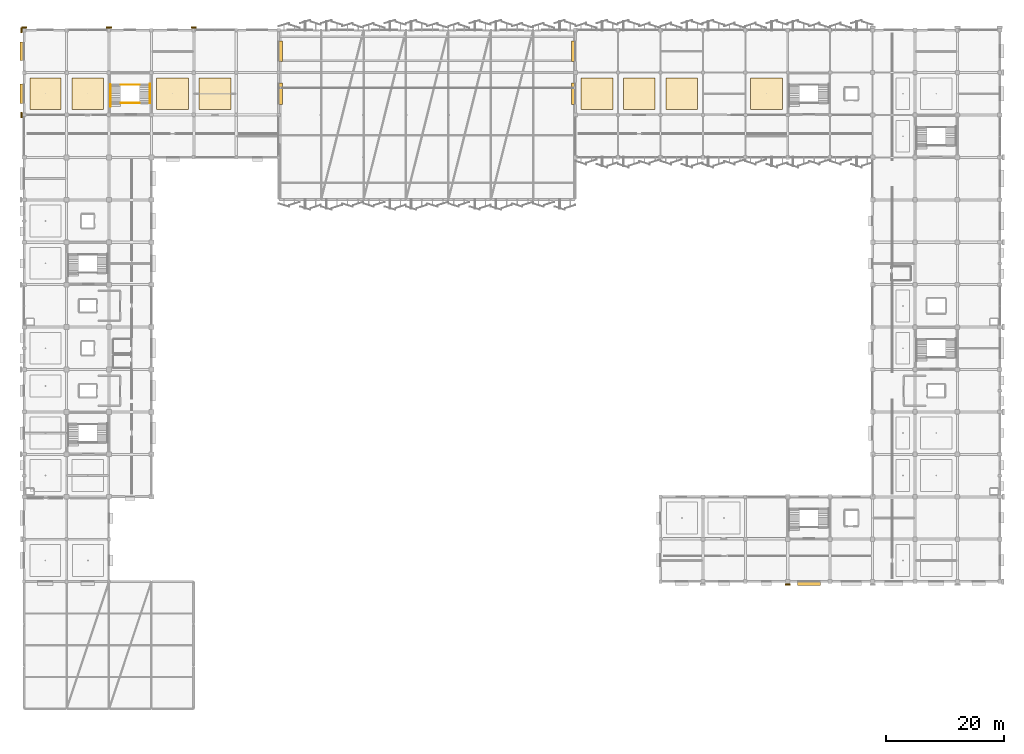
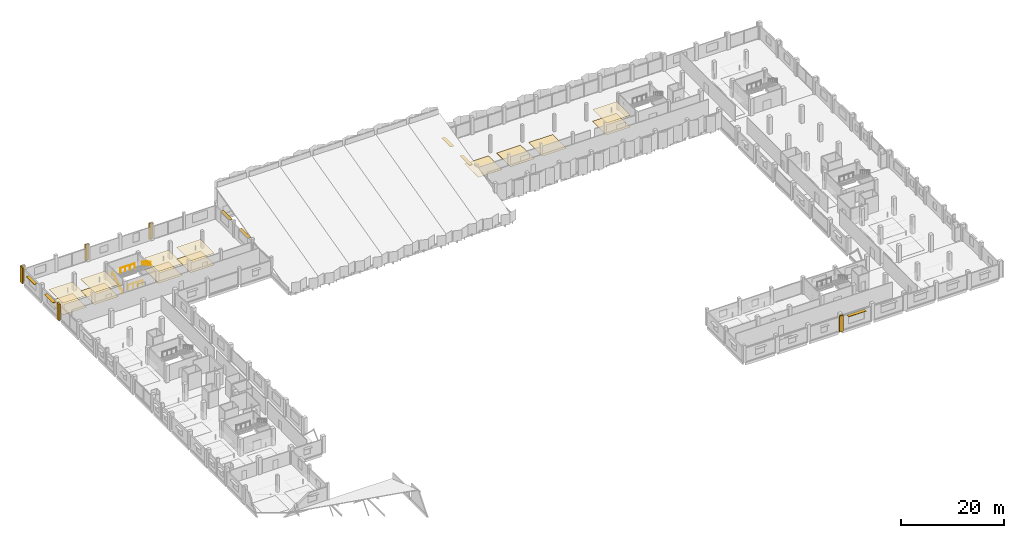
# One storey, part 106 of 108: 19 coverings, 7 shading devices, 4 railings.
"""IFC4 building model written with IfcOpenShell, lengths in metres."""

from ifc_helpers import new_model, si_unit, direction, frame, origin, origin_2d, place, context, subcontext, project, spatial, polyline, rectangle, circle, outline, extrude, material, layer, layer_set, type_object, element, save


model = new_model("IFC4")

# Units and contexts
model_context = context("Model", 3, precision=1e-05, world=origin(), true_north=direction((0.0, 1.0)))
body_context = subcontext(model_context, "Body", "Model", "MODEL_VIEW")
ifc_project = project(units=[si_unit("LENGTHUNIT", "METRE"), si_unit("AREAUNIT", "SQUARE_METRE"), si_unit("VOLUMEUNIT", "CUBIC_METRE"), si_unit("PLANEANGLEUNIT", "RADIAN"), si_unit("MASSUNIT", "GRAM", prefix="KILO")], contexts=[model_context])

# Site, building, storey
site_placement = place(None, origin())
site = spatial("IfcSite", under=ifc_project, at=site_placement, CompositionType="ELEMENT")
building_placement = place(site_placement, origin())
building = spatial("IfcBuilding", under=site, at=building_placement, Name="Kangsadwip Square Police Headquarters", CompositionType="ELEMENT")
storey_placement = place(building_placement, frame((0.0, 0.0, 9.449951171875)))
storey = spatial("IfcBuildingStorey", under=building, at=storey_placement, Name="L02", CompositionType="ELEMENT", Elevation=9.449951171875)

# Railings
ifc_material_1 = material(Name="Structural steel IS 2062 E250 (Grade 250, 250 MPa)", Category="steel")
railing_type_1 = type_object("IfcRailingType", Name="BalustradeGuard1100", PredefinedType="BALUSTRADE", material=ifc_material_1)
for number, where, name in (
    (1, (16.3798828125, 102.840087890625, 0.0), "Stair Guard ST-07 L02-170"),
    (2, (16.3798828125, 105.919921875, 2.10595703125), "Stair Guard ST-07 L02-171"),
):
    element("IfcRailing", number, at=place(storey_placement, frame(where)), inside=storey, type_object=railing_type_1, Name=name, PredefinedType="BALUSTRADE", context=body_context, shape_type="SweptSolid", body=[
        extrude(circle(Radius=0.02392578125, at=origin_2d()), frame((0.0, 0.0, 1.09619140625), z_axis=(1.0, 0.0, 0.0), x_axis=(0.0, 1.0, 0.0)), (0.0, 0.0, 1.0), 3.240234375),
        extrude(circle(Radius=0.02099609375, at=origin_2d()), origin(), (0.0, 0.0, 1.0), 1.072021484375),
        extrude(circle(Radius=0.02099609375, at=origin_2d()), frame((1.080078125, 0.0, 0.0)), (0.0, 0.0, 1.0), 1.072021484375),
        extrude(circle(Radius=0.02099609375, at=origin_2d()), frame((2.16015625, 0.0, 0.0)), (0.0, 0.0, 1.0), 1.072021484375),
        extrude(circle(Radius=0.02099609375, at=origin_2d()), frame((3.240234375, 0.0, 0.0)), (0.0, 0.0, 1.0), 1.072021484375),
    ])

# Coverings
ifc_material_2 = material(Name="Seamless anti-static epoxy and polished Kota stone interior flooring", Category="masonry")
ifc_layer_1 = layer(ifc_material_2, 0.02001953125)
ifc_layer_set_1 = layer_set([ifc_layer_1], Name="Seamless anti-static epoxy and polished Kota stone interior flooring")
covering_type_1 = type_object("IfcCoveringType", Name="InteriorStoneEpoxyFloor", PredefinedType="FLOORING", material=ifc_layer_set_1)
covering_1_placement = place(storey_placement, origin())
element("IfcCovering", 3, at=covering_1_placement, inside=storey, type_object=covering_type_1, Name="Interior Floor Finish L02-081", PredefinedType="FLOORING", context=body_context, shape_type="SweptSolid", body=[
    extrude(outline(polyline([(1.0, 101.699951171875), (6.300048828125, 101.699951171875), (6.300048828125, 107.10009765625), (1.0, 107.10009765625), (1.0, 101.699951171875)])), origin(), (0.0, 0.0, 1.0), 0.02001953125),
])
covering_2_placement = place(storey_placement, origin())
element("IfcCovering", 4, at=covering_2_placement, inside=storey, type_object=covering_type_1, Name="Interior Floor Finish L02-082", PredefinedType="FLOORING", context=body_context, shape_type="SweptSolid", body=[
    extrude(outline(polyline([(8.10009765625, 101.699951171875), (13.5, 101.699951171875), (13.5, 107.10009765625), (8.10009765625, 107.10009765625), (8.10009765625, 101.699951171875)])), origin(), (0.0, 0.0, 1.0), 0.02001953125),
])
covering_3_placement = place(storey_placement, origin())
element("IfcCovering", 5, at=covering_3_placement, inside=storey, type_object=covering_type_1, Name="Interior Floor Finish L02-083", PredefinedType="FLOORING", context=body_context, shape_type="SweptSolid", body=[
    extrude(outline(polyline([(22.5, 101.699951171875), (27.89990234375, 101.699951171875), (27.89990234375, 107.10009765625), (22.5, 107.10009765625), (22.5, 101.699951171875)])), origin(), (0.0, 0.0, 1.0), 0.02001953125),
])
covering_4_placement = place(storey_placement, origin())
element("IfcCovering", 6, at=covering_4_placement, inside=storey, type_object=covering_type_1, Name="Interior Floor Finish L02-084", PredefinedType="FLOORING", context=body_context, shape_type="SweptSolid", body=[
    extrude(outline(polyline([(29.699951171875, 101.699951171875), (35.10009765625, 101.699951171875), (35.10009765625, 107.10009765625), (29.699951171875, 107.10009765625), (29.699951171875, 101.699951171875)])), origin(), (0.0, 0.0, 1.0), 0.02001953125),
])
covering_5_placement = place(storey_placement, origin())
element("IfcCovering", 7, at=covering_5_placement, inside=storey, type_object=covering_type_1, Name="Interior Floor Finish L02-085", PredefinedType="FLOORING", context=body_context, shape_type="SweptSolid", body=[
    extrude(outline(polyline([(94.5, 101.699951171875), (99.89990234375, 101.699951171875), (99.89990234375, 107.10009765625), (94.5, 107.10009765625), (94.5, 101.699951171875)])), origin(), (0.0, 0.0, 1.0), 0.02001953125),
])
covering_6_placement = place(storey_placement, origin())
element("IfcCovering", 8, at=covering_6_placement, inside=storey, type_object=covering_type_1, Name="Interior Floor Finish L02-086", PredefinedType="FLOORING", context=body_context, shape_type="SweptSolid", body=[
    extrude(outline(polyline([(101.699951171875, 101.699951171875), (107.10009765625, 101.699951171875), (107.10009765625, 107.10009765625), (101.699951171875, 107.10009765625), (101.699951171875, 101.699951171875)])), origin(), (0.0, 0.0, 1.0), 0.02001953125),
])
covering_7_placement = place(storey_placement, origin())
element("IfcCovering", 9, at=covering_7_placement, inside=storey, type_object=covering_type_1, Name="Interior Floor Finish L02-087", PredefinedType="FLOORING", context=body_context, shape_type="SweptSolid", body=[
    extrude(outline(polyline([(108.89990234375, 101.699951171875), (114.300048828125, 101.699951171875), (114.300048828125, 107.10009765625), (108.89990234375, 107.10009765625), (108.89990234375, 101.699951171875)])), origin(), (0.0, 0.0, 1.0), 0.02001953125),
])
covering_8_placement = place(storey_placement, origin())
element("IfcCovering", 10, at=covering_8_placement, inside=storey, type_object=covering_type_1, Name="Interior Floor Finish L02-088", PredefinedType="FLOORING", context=body_context, shape_type="SweptSolid", body=[
    extrude(outline(polyline([(123.300048828125, 101.699951171875), (128.699951171875, 101.699951171875), (128.699951171875, 107.10009765625), (123.300048828125, 107.10009765625), (123.300048828125, 101.699951171875)])), origin(), (0.0, 0.0, 1.0), 0.02001953125),
])

# Railings
ifc_material_3 = material(Name="Structural steel IS 2062 E250 (Grade 250, 250 MPa)", Category="steel")
railing_type_2 = type_object("IfcRailingType", Name="StairPitchHandrail900", PredefinedType="HANDRAIL", material=ifc_material_3)
railing_1_placement = place(storey_placement, frame((14.639892578125, 102.239990234375, 0.0)))
element("IfcRailing", 11, at=railing_1_placement, inside=storey, type_object=railing_type_2, Name="Stair Handrail ST-07 L02-172", PredefinedType="HANDRAIL", context=body_context, shape_type="SweptSolid", body=[
    extrude(circle(Radius=0.02392578125, at=origin_2d()), frame((0.0, 0.0, 0.8759765625), z_axis=(0.0, 0.870225440575, 0.492653714668), x_axis=(-1.0, 0.0, 0.0)), (0.0, 0.0, 1.0), 4.274658203125),
    extrude(circle(Radius=0.02099609375, at=origin_2d()), origin(), (0.0, 0.0, 1.0), 0.851806640625),
    extrude(circle(Radius=0.02099609375, at=origin_2d()), frame((0.0, 0.929931640625, 0.5263671875)), (0.0, 0.0, 1.0), 0.851806640625),
    extrude(circle(Radius=0.02099609375, at=origin_2d()), frame((0.0, 1.85986328125, 1.052978515625)), (0.0, 0.0, 1.0), 0.851806640625),
    extrude(circle(Radius=0.02099609375, at=origin_2d()), frame((0.0, 2.7900390625, 1.57958984375)), (0.0, 0.0, 1.0), 0.851806640625),
    extrude(circle(Radius=0.02099609375, at=origin_2d()), frame((0.0, 3.719970703125, 2.10595703125)), (0.0, 0.0, 1.0), 0.851806640625),
])
railing_2_placement = place(storey_placement, frame((21.360107421875, 106.06005859375, 2.10595703125)))
element("IfcRailing", 12, at=railing_2_placement, inside=storey, type_object=railing_type_2, Name="Stair Handrail ST-07 L02-173", PredefinedType="HANDRAIL", context=body_context, shape_type="SweptSolid", body=[
    extrude(circle(Radius=0.02392578125, at=origin_2d()), frame((0.0, 0.0, 0.8759765625), z_axis=(0.0, -0.860248887005, 0.509874349626), x_axis=(1.0, 0.0, 0.0)), (0.0, 0.0, 1.0), 3.81298828125),
    extrude(circle(Radius=0.02099609375, at=origin_2d()), origin(), (0.0, 0.0, 1.0), 0.851806640625),
    extrude(circle(Radius=0.02099609375, at=origin_2d()), frame((0.0, -0.820068359375, 0.486083984375)), (0.0, 0.0, 1.0), 0.851806640625),
    extrude(circle(Radius=0.02099609375, at=origin_2d()), frame((0.0, -1.64013671875, 0.97216796875)), (0.0, 0.0, 1.0), 0.851806640625),
    extrude(circle(Radius=0.02099609375, at=origin_2d()), frame((0.0, -2.4599609375, 1.4580078125)), (0.0, 0.0, 1.0), 0.851806640625),
    extrude(circle(Radius=0.02099609375, at=origin_2d()), frame((0.0, -3.280029296875, 1.944091796875)), (0.0, 0.0, 1.0), 0.851806640625),
])

# Coverings
ifc_material_4 = material(Name="Perforated mineral-fibre and acoustic baffle suspended ceiling", Category="wood")
ifc_layer_2 = layer(ifc_material_4, 0.02490234375)
ifc_layer_set_2 = layer_set([ifc_layer_2], Name="Perforated mineral-fibre and acoustic baffle suspended ceiling")
covering_type_2 = type_object("IfcCoveringType", Name="SuspendedAcousticCeiling", PredefinedType="CEILING", material=ifc_layer_set_2)
covering_9_placement = place(storey_placement, frame((0.0, 0.0, 2.800048828125)))
element("IfcCovering", 13, at=covering_9_placement, inside=storey, type_object=covering_type_2, Name="Suspended Acoustic Ceiling L02-081", PredefinedType="CEILING", context=body_context, shape_type="SweptSolid", body=[
    extrude(outline(polyline([(1.0, 101.699951171875), (6.300048828125, 101.699951171875), (6.300048828125, 107.10009765625), (1.0, 107.10009765625), (1.0, 101.699951171875)])), origin(), (0.0, 0.0, 1.0), 0.02490234375),
])
covering_10_placement = place(storey_placement, frame((0.0, 0.0, 2.800048828125)))
element("IfcCovering", 14, at=covering_10_placement, inside=storey, type_object=covering_type_2, Name="Suspended Acoustic Ceiling L02-082", PredefinedType="CEILING", context=body_context, shape_type="SweptSolid", body=[
    extrude(outline(polyline([(8.10009765625, 101.699951171875), (13.5, 101.699951171875), (13.5, 107.10009765625), (8.10009765625, 107.10009765625), (8.10009765625, 101.699951171875)])), origin(), (0.0, 0.0, 1.0), 0.02490234375),
])
covering_11_placement = place(storey_placement, frame((0.0, 0.0, 2.800048828125)))
element("IfcCovering", 15, at=covering_11_placement, inside=storey, type_object=covering_type_2, Name="Suspended Acoustic Ceiling L02-083", PredefinedType="CEILING", context=body_context, shape_type="SweptSolid", body=[
    extrude(outline(polyline([(22.5, 101.699951171875), (27.89990234375, 101.699951171875), (27.89990234375, 107.10009765625), (22.5, 107.10009765625), (22.5, 101.699951171875)])), origin(), (0.0, 0.0, 1.0), 0.02490234375),
])
covering_12_placement = place(storey_placement, frame((0.0, 0.0, 2.800048828125)))
element("IfcCovering", 16, at=covering_12_placement, inside=storey, type_object=covering_type_2, Name="Suspended Acoustic Ceiling L02-084", PredefinedType="CEILING", context=body_context, shape_type="SweptSolid", body=[
    extrude(outline(polyline([(29.699951171875, 101.699951171875), (35.10009765625, 101.699951171875), (35.10009765625, 107.10009765625), (29.699951171875, 107.10009765625), (29.699951171875, 101.699951171875)])), origin(), (0.0, 0.0, 1.0), 0.02490234375),
])
covering_13_placement = place(storey_placement, frame((0.0, 0.0, 2.800048828125)))
element("IfcCovering", 17, at=covering_13_placement, inside=storey, type_object=covering_type_2, Name="Suspended Acoustic Ceiling L02-088", PredefinedType="CEILING", context=body_context, shape_type="SweptSolid", body=[
    extrude(outline(polyline([(123.300048828125, 101.699951171875), (128.699951171875, 101.699951171875), (128.699951171875, 107.10009765625), (123.300048828125, 107.10009765625), (123.300048828125, 101.699951171875)])), origin(), (0.0, 0.0, 1.0), 0.02490234375),
])
ifc_material_5 = material(Name="Glazed architectural terracotta masonry rainscreen", Category="masonry")
ifc_layer_3 = layer(ifc_material_5, 0.034912109375)
ifc_layer_set_3 = layer_set([ifc_layer_3], Name="Glazed architectural terracotta masonry rainscreen")
covering_type_3 = type_object("IfcCoveringType", Name="TerracottaPierCladding", PredefinedType="CLADDING", material=ifc_layer_set_3)
covering_14_placement = place(storey_placement, origin())
element("IfcCovering", 18, at=covering_14_placement, inside=storey, type_object=covering_type_3, Name="Terracotta Pier Cladding L02-064", PredefinedType="CLADDING", context=body_context, shape_type="SweptSolid", body=[
    extrude(outline(polyline([(-0.60009765625, 100.360107421875), (-0.280029296875, 100.360107421875), (-0.280029296875, 101.239990234375), (-0.60009765625, 101.239990234375), (-0.60009765625, 100.360107421875)])), origin(), (0.0, 0.0, 1.0), 3.800048828125),
])
covering_15_placement = place(storey_placement, origin())
element("IfcCovering", 19, at=covering_15_placement, inside=storey, type_object=covering_type_3, Name="Terracotta Pier Cladding L02-065", PredefinedType="CLADDING", context=body_context, shape_type="SweptSolid", body=[
    extrude(outline(polyline([(-0.60009765625, 114.760009765625), (-0.280029296875, 114.760009765625), (-0.280029296875, 115.639892578125), (-0.60009765625, 115.639892578125), (-0.60009765625, 114.760009765625)])), origin(), (0.0, 0.0, 1.0), 3.800048828125),
])
covering_16_placement = place(storey_placement, origin())
element("IfcCovering", 20, at=covering_16_placement, inside=storey, type_object=covering_type_3, Name="Terracotta Pier Cladding L02-073", PredefinedType="CLADDING", context=body_context, shape_type="SweptSolid", body=[
    extrude(outline(polyline([(-0.43994140625, 115.47998046875), (0.43994140625, 115.47998046875), (0.43994140625, 115.800048828125), (-0.43994140625, 115.800048828125), (-0.43994140625, 115.47998046875)])), origin(), (0.0, 0.0, 1.0), 3.800048828125),
])
covering_17_placement = place(storey_placement, origin())
element("IfcCovering", 21, at=covering_17_placement, inside=storey, type_object=covering_type_3, Name="Terracotta Pier Cladding L02-074", PredefinedType="CLADDING", context=body_context, shape_type="SweptSolid", body=[
    extrude(outline(polyline([(13.9599609375, 115.47998046875), (14.840087890625, 115.47998046875), (14.840087890625, 115.800048828125), (13.9599609375, 115.800048828125), (13.9599609375, 115.47998046875)])), origin(), (0.0, 0.0, 1.0), 3.800048828125),
])
covering_18_placement = place(storey_placement, origin())
element("IfcCovering", 22, at=covering_18_placement, inside=storey, type_object=covering_type_3, Name="Terracotta Pier Cladding L02-075", PredefinedType="CLADDING", context=body_context, shape_type="SweptSolid", body=[
    extrude(outline(polyline([(28.360107421875, 115.47998046875), (29.239990234375, 115.47998046875), (29.239990234375, 115.800048828125), (28.360107421875, 115.800048828125), (28.360107421875, 115.47998046875)])), origin(), (0.0, 0.0, 1.0), 3.800048828125),
])
covering_19_placement = place(storey_placement, origin())
element("IfcCovering", 23, at=covering_19_placement, inside=storey, type_object=covering_type_3, Name="Terracotta Pier Cladding L02-080", PredefinedType="CLADDING", context=body_context, shape_type="SweptSolid", body=[
    extrude(outline(polyline([(129.159912109375, 20.949951171875), (130.0400390625, 20.949951171875), (130.0400390625, 21.27001953125), (129.159912109375, 21.27001953125), (129.159912109375, 20.949951171875)])), origin(), (0.0, 0.0, 1.0), 3.800048828125),
])

# Shading devices
ifc_material_6 = material(Name="Architectural terracotta and anodised aluminium AW-6061-T6", Category="aluminium")
shading_device_type = type_object("IfcShadingDeviceType", Name="TerracottaChhajjaAwning", PredefinedType="AWNING", material=ifc_material_6)
shading_device_1_placement = place(storey_placement, frame((133.199951171875, 21.300048828125, 2.9150390625), z_axis=(0.0, 0.0, 1.0), x_axis=(1.0, 0.0, 0.0)))
element("IfcShadingDevice", 24, at=shading_device_1_placement, inside=storey, type_object=shading_device_type, Name="Terracotta Chhajja Hood CHJ-L02-0106", PredefinedType="AWNING", context=body_context, shape_type="SweptSolid", body=[
    extrude(rectangle(XDim=3.89990234375, YDim=0.719970703125, at=origin_2d()), origin(), (0.0, 0.0, 1.0), 0.090087890625),
])
shading_device_2_placement = place(storey_placement, frame((-0.300048828125, 104.39990234375, 2.76513671875), z_axis=(0.0, 0.0, 1.0), x_axis=(0.0, 1.0, 0.0)))
element("IfcShadingDevice", 25, at=shading_device_2_placement, inside=storey, type_object=shading_device_type, Name="Terracotta Chhajja Hood CHJ-L02-0126", PredefinedType="AWNING", context=body_context, shape_type="SweptSolid", body=[
    extrude(rectangle(XDim=3.300048828125, YDim=0.719970703125, at=origin_2d()), origin(), (0.0, 0.0, 1.0), 0.090087890625),
])
shading_device_3_placement = place(storey_placement, frame((-0.300048828125, 111.60009765625, 2.71484375), z_axis=(0.0, 0.0, 1.0), x_axis=(0.0, 1.0, 0.0)))
element("IfcShadingDevice", 26, at=shading_device_3_placement, inside=storey, type_object=shading_device_type, Name="Terracotta Chhajja Hood CHJ-L02-0127", PredefinedType="AWNING", context=body_context, shape_type="SweptSolid", body=[
    extrude(rectangle(XDim=3.10009765625, YDim=0.719970703125, at=origin_2d()), origin(), (0.0, 0.0, 1.0), 0.090087890625),
])
shading_device_4_placement = place(storey_placement, frame((43.5, 104.41259765625, 2.865234375), z_axis=(0.0, 0.0, 1.0), x_axis=(0.0, 1.0, 0.0)))
element("IfcShadingDevice", 27, at=shading_device_4_placement, inside=storey, type_object=shading_device_type, Name="Terracotta Chhajja Hood CHJ-L02-0136", PredefinedType="AWNING", context=body_context, shape_type="SweptSolid", body=[
    extrude(rectangle(XDim=3.699951171875, YDim=0.719970703125, at=origin_2d()), origin(), (0.0, 0.0, 1.0), 0.090087890625),
])
shading_device_5_placement = place(storey_placement, frame((43.5, 111.58740234375, 2.81494140625), z_axis=(0.0, 0.0, 1.0), x_axis=(0.0, 1.0, 0.0)))
element("IfcShadingDevice", 28, at=shading_device_5_placement, inside=storey, type_object=shading_device_type, Name="Terracotta Chhajja Hood CHJ-L02-0137", PredefinedType="AWNING", context=body_context, shape_type="SweptSolid", body=[
    extrude(rectangle(XDim=3.5, YDim=0.719970703125, at=origin_2d()), origin(), (0.0, 0.0, 1.0), 0.090087890625),
])
shading_device_6_placement = place(storey_placement, frame((93.300048828125, 104.39990234375, 2.865234375), z_axis=(0.0, 0.0, 1.0), x_axis=(0.0, 1.0, 0.0)))
element("IfcShadingDevice", 29, at=shading_device_6_placement, inside=storey, type_object=shading_device_type, Name="Terracotta Chhajja Hood CHJ-L02-0138", PredefinedType="AWNING", context=body_context, shape_type="SweptSolid", body=[
    extrude(rectangle(XDim=3.699951171875, YDim=0.719970703125, at=origin_2d()), origin(), (0.0, 0.0, 1.0), 0.090087890625),
])
shading_device_7_placement = place(storey_placement, frame((93.300048828125, 111.60009765625, 2.81494140625), z_axis=(0.0, 0.0, 1.0), x_axis=(0.0, 1.0, 0.0)))
element("IfcShadingDevice", 30, at=shading_device_7_placement, inside=storey, type_object=shading_device_type, Name="Terracotta Chhajja Hood CHJ-L02-0139", PredefinedType="AWNING", context=body_context, shape_type="SweptSolid", body=[
    extrude(rectangle(XDim=3.5, YDim=0.719970703125, at=origin_2d()), origin(), (0.0, 0.0, 1.0), 0.090087890625),
])

save(model, "model.ifc")
